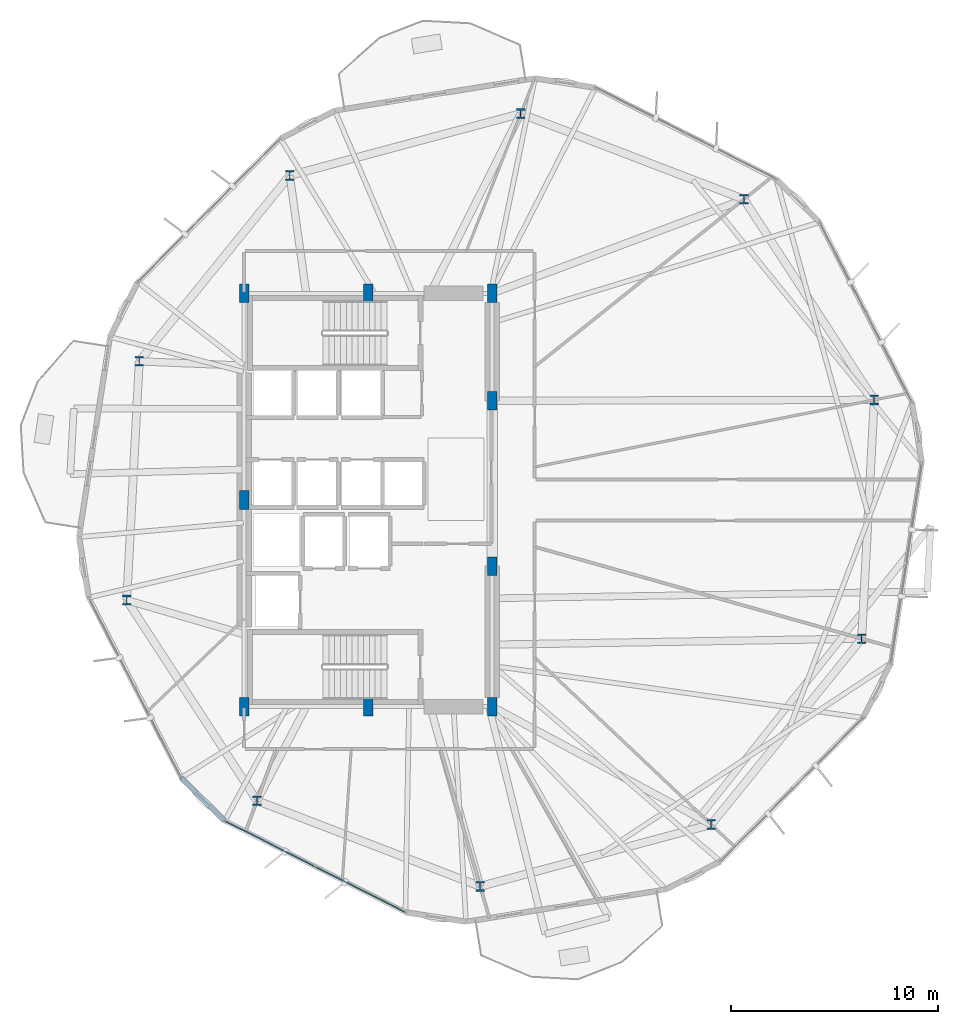
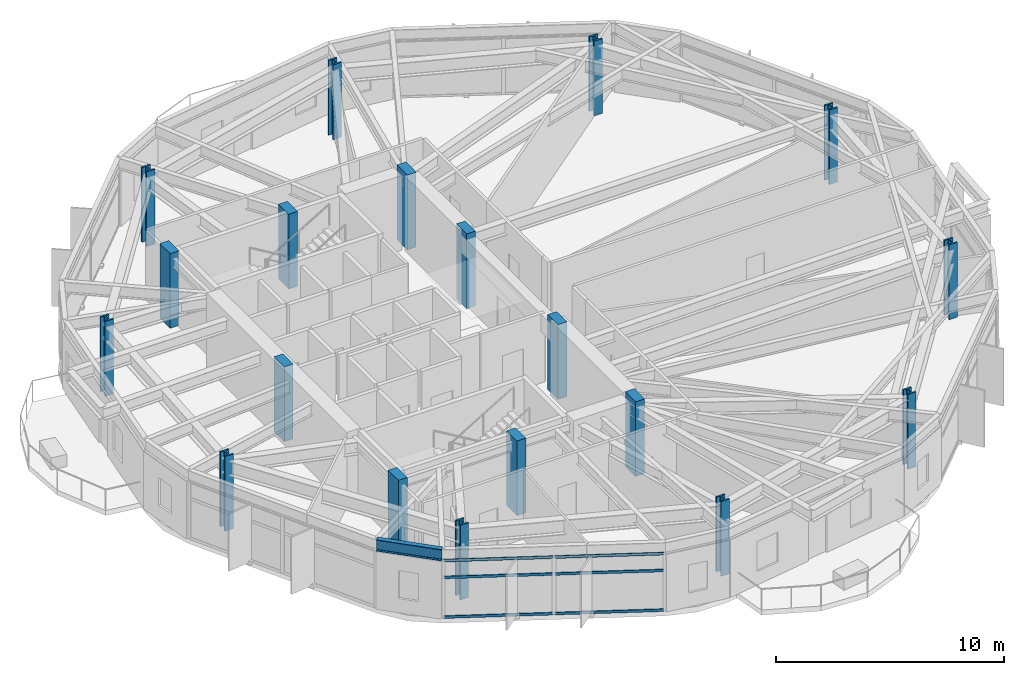
# One storey, part 1 of 23: 19 columns, 6 members, 1 beam, 1 element without a shape of its own.
"""IFC4 building model written with IfcOpenShell, lengths in metres."""

from ifc_helpers import new_model, si_unit, direction, frame, origin, origin_2d, place, context, subcontext, project, spatial, rectangle, hollow_rectangle, i_section, extrude, material, layer, layer_set, material_profile, profile_set, type_object, element, aggregate, save


model = new_model("IFC4")

# Units and contexts
model_context = context("Model", 3, precision=1e-05, world=origin(), true_north=direction((0.0, 1.0)))
body_context = subcontext(model_context, "Body", "Model", "MODEL_VIEW")
ifc_project = project(units=[si_unit("LENGTHUNIT", "METRE"), si_unit("AREAUNIT", "SQUARE_METRE"), si_unit("VOLUMEUNIT", "CUBIC_METRE"), si_unit("PLANEANGLEUNIT", "RADIAN"), si_unit("MASSUNIT", "GRAM", prefix="KILO")], contexts=[model_context])

# Site, building, storey
site_placement = place(None, origin())
site = spatial("IfcSite", under=ifc_project, at=site_placement, CompositionType="ELEMENT")
building_placement = place(site_placement, origin())
building = spatial("IfcBuilding", under=site, at=building_placement, Name="Soratama Intermodal Tower", CompositionType="ELEMENT")
storey_placement = place(building_placement, frame((0.0, 0.0, 62.60009765625)))
storey = spatial("IfcBuildingStorey", under=building, at=storey_placement, Name="L14", CompositionType="ELEMENT", Elevation=62.60009765625)

# Columns
ifc_material_1 = material(Name="Structural steel ASTM A992 Grade 50", Category="steel")
ifc_material_profile_1 = material_profile(ifc_material_1, i_section(OverallWidth=0.424072265625, OverallDepth=0.47412109375, WebThickness=0.047607421875, FlangeThickness=0.0771484375, FilletRadius=0.0380859375, at=origin_2d()), Name="W14X426")
ifc_profile_set_1 = profile_set([ifc_material_profile_1], Name="Structural steel ASTM A992 Grade 50")
column_type_1 = type_object("IfcColumnType", Name="COL-ZA-W14X426", PredefinedType="COLUMN", material=ifc_profile_set_1)
for number, where, z_axis, x_axis, name in (
    (1, (63.08203125, 29.84521484375, 0.0), (0.0, 0.0, 1.0), (1.0, 0.0, 0.0), "L14 Tower Ring Column R01"),
    (2, (56.781005859375, 39.548095703125, 0.0), (0.0, 0.0, 1.0), (1.0, 0.0, 0.0), "L14 Tower Ring Column R02"),
    (3, (45.979736328125, 43.6943359375, 0.0), (0.0, 0.0, 1.0), (1.0, 0.0, 0.0), "L14 Tower Ring Column R03"),
    (4, (34.804443359375, 40.699951171875, 0.0), (0.0, 0.0, 1.0), (1.0, 0.0, 0.0), "L14 Tower Ring Column R04"),
    (5, (27.5234375, 31.70849609375, 0.0), (0.0, 0.0, 1.0), (1.0, 0.0, 0.0), "L14 Tower Ring Column R05"),
    (6, (26.91796875, 20.15478515625, 0.0), (0.0, 0.0, 1.0), (1.0, 0.0, 0.0), "L14 Tower Ring Column R06"),
    (7, (33.218994140625, 10.451904296875, 0.0), (0.0, 0.0, 1.0), (1.0, 0.0, 0.0), "L14 Tower Ring Column R07"),
    (8, (44.020263671875, 6.3056640625, 0.0), (0.0, 0.0, 1.0), (1.0, 0.0, 0.0), "L14 Tower Ring Column R08"),
    (9, (55.195556640625, 9.300048828125, 0.0), (0.0, 0.0, 1.0), (1.0, 0.0, 0.0), "L14 Tower Ring Column R09"),
    (10, (62.4765625, 18.29150390625, 0.0), (0.0, 0.0, 1.0), (1.0, 0.0, 0.0), "L14 Tower Ring Column R10"),
):
    element("IfcColumn", number, at=place(storey_placement, frame(where, z_axis=z_axis, x_axis=x_axis)), inside=storey, type_object=column_type_1, Name=name, PredefinedType="COLUMN", context=body_context, shape_type="SweptSolid", body=[
        extrude(i_section(OverallWidth=0.424072265625, OverallDepth=0.47412109375, WebThickness=0.047607421875, FlangeThickness=0.0771484375, FilletRadius=0.0380859375, at=origin_2d()), origin(), (0.0, 0.0, 1.0), 4.0),
    ])
ifc_material_2 = material(Name="Concrete f'c 56 MPa", Category="concrete")
ifc_material_profile_2 = material_profile(ifc_material_2, rectangle(XDim=0.449951171875, YDim=0.89990234375, at=origin_2d()), Name="RC450X900")
ifc_profile_set_2 = profile_set([ifc_material_profile_2], Name="Concrete f'c 56 MPa")
column_type_2 = type_object("IfcColumnType", Name="PIL-CORE-450X900", PredefinedType="PILASTER", material=ifc_profile_set_2)
for number, where, z_axis, x_axis, name in (
    (11, (32.60009765625, 15.0, 0.0), (0.0, 0.0, 1.0), (1.0, 0.0, 0.0), "L14 Core Pilaster 1"),
    (12, (32.60009765625, 25.0, 0.0), (0.0, 0.0, 1.0), (1.0, 0.0, 0.0), "L14 Core Pilaster 2"),
    (13, (32.60009765625, 35.0, 0.0), (0.0, 0.0, 1.0), (1.0, 0.0, 0.0), "L14 Core Pilaster 3"),
    (14, (38.60009765625, 15.0, 0.0), (0.0, 0.0, 1.0), (1.0, 0.0, 0.0), "L14 Core Pilaster 4"),
    (15, (38.60009765625, 35.0, 0.0), (0.0, 0.0, 1.0), (1.0, 0.0, 0.0), "L14 Core Pilaster 5"),
    (16, (44.60009765625, 15.0, 0.0), (0.0, 0.0, 1.0), (1.0, 0.0, 0.0), "L14 Core Pilaster 6"),
    (17, (44.60009765625, 21.800048828125, 0.0), (0.0, 0.0, 1.0), (1.0, 0.0, 0.0), "L14 Core Pilaster 7"),
    (18, (44.60009765625, 29.800048828125, 0.0), (0.0, 0.0, 1.0), (1.0, 0.0, 0.0), "L14 Core Pilaster 8"),
    (19, (44.60009765625, 35.0, 0.0), (0.0, 0.0, 1.0), (1.0, 0.0, 0.0), "L14 Core Pilaster 9"),
):
    element("IfcColumn", number, at=place(storey_placement, frame(where, z_axis=z_axis, x_axis=x_axis)), inside=storey, type_object=column_type_2, Name=name, PredefinedType="PILASTER", context=body_context, shape_type="SweptSolid", body=[
        extrude(rectangle(XDim=0.449951171875, YDim=0.89990234375, at=origin_2d()), origin(), (0.0, 0.0, 1.0), 4.0),
    ])

# Beam
ifc_material_3 = material(Name="Structural steel ASTM A992 Grade 50", Category="steel")
ifc_material_profile_3 = material_profile(ifc_material_3, i_section(OverallWidth=0.22900390625, OverallDepth=0.612060546875, WebThickness=0.011962890625, FlangeThickness=0.01953125, FilletRadius=0.012939453125, at=origin_2d()), Name="W24X84")
ifc_profile_set_3 = profile_set([ifc_material_profile_3], Name="Structural steel ASTM A992 Grade 50")
beam_type = type_object("IfcBeamType", Name="BM-SPN-W24X84", PredefinedType="SPANDREL", material=ifc_profile_set_3)
beam_placement = place(storey_placement, frame((29.552978515625, 11.56005859375, 3.393798828125), z_axis=(0.709284438419, -0.704922396734, 0.0), x_axis=(0.704922396734, 0.709284438419, 0.0)))
element("IfcBeam", 20, at=beam_placement, inside=storey, type_object=beam_type, Name="BS-L14-CRN06", PredefinedType="SPANDREL", context=body_context, shape_type="SweptSolid", body=[
    extrude(i_section(OverallWidth=0.22900390625, OverallDepth=0.612060546875, WebThickness=0.011962890625, FlangeThickness=0.01953125, FilletRadius=0.012939453125, at=origin_2d()), origin(), (0.0, 0.0, 1.0), 2.96630859375),
])

# Curtain wall, members
ifc_material_4 = material(Name="Double-glazed aluminium curtain wall", Category="aluminium")
ifc_layer = layer(ifc_material_4, 0.159912109375)
ifc_layer_set = layer_set([ifc_layer], Name="Double-glazed aluminium curtain wall")
curtain_wall_type = type_object("IfcCurtainWallType", Name="CW-SYS-2", PredefinedType="NOTDEFINED", material=ifc_layer_set)
curtain_wall_placement = place(storey_placement, origin())
curtain_wall = element("IfcCurtainWall", 21, at=curtain_wall_placement, inside=storey, type_object=curtain_wall_type, Name="L14 Faceted Curtain Wall F07", PredefinedType="NOTDEFINED")
ifc_material_5 = material(Name="Anodised aluminium AA 6063-T6", Category="aluminium")
ifc_material_profile_4 = material_profile(ifc_material_5, hollow_rectangle(XDim=0.06494140625, YDim=0.14990234375, WallThickness=0.0048828125, InnerFilletRadius=0.0048828125, OuterFilletRadius=0.010009765625, at=origin_2d()), Name="CWT150X65X5")
ifc_profile_set_4 = profile_set([ifc_material_profile_4], Name="Anodised aluminium AA 6063-T6")
member_type = type_object("IfcMemberType", Name="TT-CWT-1", PredefinedType="USERDEFINED", material=ifc_profile_set_4)
member_1_placement = place(storey_placement, frame((31.710693359375, 9.441650390625, 0.02978515625), z_axis=(0.892438953735, -0.451168165828, 0.0), x_axis=(0.451168165828, 0.892438953735, 0.0)))
member_1 = element("IfcMember", 22, at=member_1_placement, type_object=member_type, Name="CW-2 transom 1.1", ObjectType="TRANSOM", PredefinedType="USERDEFINED", context=body_context, shape_type="SweptSolid", body=[
    extrude(hollow_rectangle(XDim=0.06494140625, YDim=0.14990234375, WallThickness=0.0048828125, InnerFilletRadius=0.0048828125, OuterFilletRadius=0.010009765625, at=origin_2d()), origin(), (0.0, 0.0, 1.0), 4.81005859375),
])
member_2_placement = place(storey_placement, frame((31.710693359375, 9.441650390625, 2.14990234375), z_axis=(0.892438953735, -0.451168165828, 0.0), x_axis=(0.451168165828, 0.892438953735, 0.0)))
member_2 = element("IfcMember", 23, at=member_2_placement, type_object=member_type, Name="CW-2 transom 1.2", ObjectType="TRANSOM", PredefinedType="USERDEFINED", context=body_context, shape_type="SweptSolid", body=[
    extrude(hollow_rectangle(XDim=0.06494140625, YDim=0.14990234375, WallThickness=0.0048828125, InnerFilletRadius=0.0048828125, OuterFilletRadius=0.010009765625, at=origin_2d()), origin(), (0.0, 0.0, 1.0), 4.81005859375),
])
member_3_placement = place(storey_placement, frame((31.710693359375, 9.441650390625, 3.048828125), z_axis=(0.892438953735, -0.451168165828, 0.0), x_axis=(0.451168165828, 0.892438953735, 0.0)))
member_3 = element("IfcMember", 24, at=member_3_placement, type_object=member_type, Name="CW-2 transom 1.3", ObjectType="TRANSOM", PredefinedType="USERDEFINED", context=body_context, shape_type="SweptSolid", body=[
    extrude(hollow_rectangle(XDim=0.06494140625, YDim=0.14990234375, WallThickness=0.0048828125, InnerFilletRadius=0.0048828125, OuterFilletRadius=0.010009765625, at=origin_2d()), origin(), (0.0, 0.0, 1.0), 4.81005859375),
])
member_4_placement = place(storey_placement, frame((36.056884765625, 7.244384765625, 0.02978515625), z_axis=(0.892428621555, -0.451188602947, 0.0), x_axis=(0.451188602947, 0.892428621555, 0.0)))
member_4 = element("IfcMember", 25, at=member_4_placement, type_object=member_type, Name="CW-2 transom 2.1", ObjectType="TRANSOM", PredefinedType="USERDEFINED", context=body_context, shape_type="SweptSolid", body=[
    extrude(hollow_rectangle(XDim=0.06494140625, YDim=0.14990234375, WallThickness=0.0048828125, InnerFilletRadius=0.0048828125, OuterFilletRadius=0.010009765625, at=origin_2d()), origin(), (0.0, 0.0, 1.0), 4.809814453125),
])
member_5_placement = place(storey_placement, frame((36.056884765625, 7.244384765625, 2.14990234375), z_axis=(0.892428621555, -0.451188602947, 0.0), x_axis=(0.451188602947, 0.892428621555, 0.0)))
member_5 = element("IfcMember", 26, at=member_5_placement, type_object=member_type, Name="CW-2 transom 2.2", ObjectType="TRANSOM", PredefinedType="USERDEFINED", context=body_context, shape_type="SweptSolid", body=[
    extrude(hollow_rectangle(XDim=0.06494140625, YDim=0.14990234375, WallThickness=0.0048828125, InnerFilletRadius=0.0048828125, OuterFilletRadius=0.010009765625, at=origin_2d()), origin(), (0.0, 0.0, 1.0), 4.809814453125),
])
member_6_placement = place(storey_placement, frame((36.056884765625, 7.244384765625, 3.048828125), z_axis=(0.892428621555, -0.451188602947, 0.0), x_axis=(0.451188602947, 0.892428621555, 0.0)))
member_6 = element("IfcMember", 27, at=member_6_placement, type_object=member_type, Name="CW-2 transom 2.3", ObjectType="TRANSOM", PredefinedType="USERDEFINED", context=body_context, shape_type="SweptSolid", body=[
    extrude(hollow_rectangle(XDim=0.06494140625, YDim=0.14990234375, WallThickness=0.0048828125, InnerFilletRadius=0.0048828125, OuterFilletRadius=0.010009765625, at=origin_2d()), origin(), (0.0, 0.0, 1.0), 4.809814453125),
])
aggregate(curtain_wall, [member_1, member_2, member_3, member_4, member_5, member_6])

save(model, "model.ifc")
